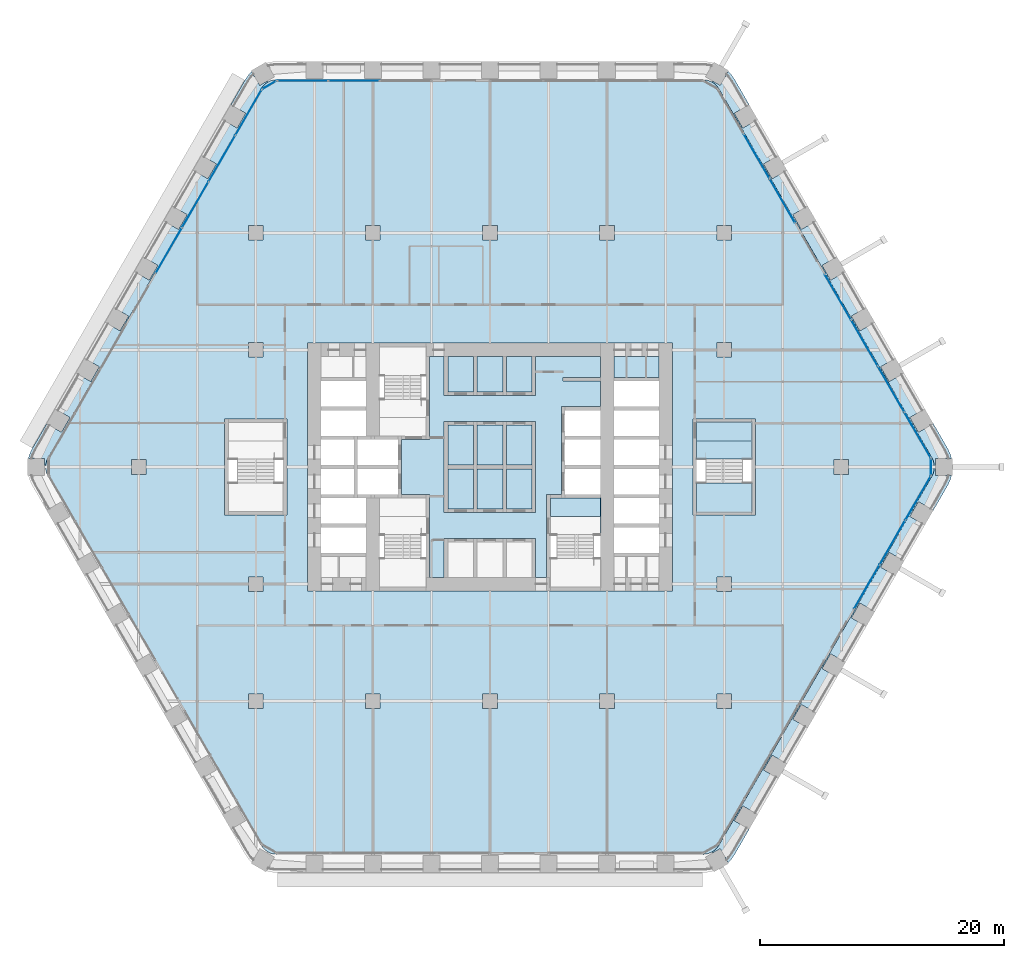
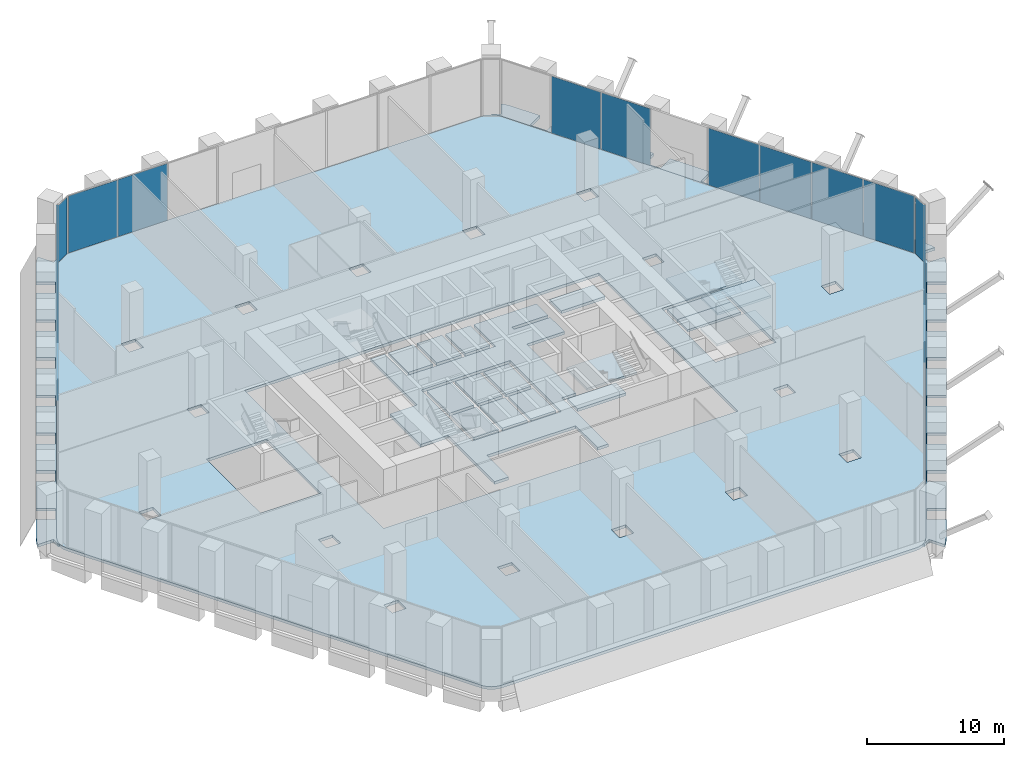
# One storey, part 17 of 29: 22 slabs, 17 plates, 9 elements without a shape of their own.
"""IFC4 building model written with IfcOpenShell, lengths in metres."""

from ifc_helpers import new_model, si_unit, direction, frame, origin, origin_2d, place, context, subcontext, project, spatial, polyline, rectangle, outline, extrude, material, layer, layer_set, type_object, element, aggregate, save


model = new_model("IFC4")

# Units and contexts
model_context = context("Model", 3, precision=1e-05, world=origin(), true_north=direction((0.0, 1.0)))
body_context = subcontext(model_context, "Body", "Model", "MODEL_VIEW")
ifc_project = project(units=[si_unit("LENGTHUNIT", "METRE"), si_unit("AREAUNIT", "SQUARE_METRE"), si_unit("VOLUMEUNIT", "CUBIC_METRE"), si_unit("PLANEANGLEUNIT", "RADIAN"), si_unit("MASSUNIT", "GRAM", prefix="KILO")], contexts=[model_context])

# Site, building, storey
site_placement = place(None, origin())
site = spatial("IfcSite", under=ifc_project, at=site_placement, CompositionType="ELEMENT")
building_placement = place(site_placement, origin())
building = spatial("IfcBuilding", under=site, at=building_placement, Name="Kolab Exchange Tower", CompositionType="ELEMENT")
storey_placement = place(building_placement, frame((0.0, 0.0, 55.39990234375)))
storey = spatial("IfcBuildingStorey", under=building, at=storey_placement, Name="L10", CompositionType="ELEMENT", Elevation=55.39990234375)

# Slabs
ifc_material_1 = material(Name="Concrete C35/45", Category="concrete")
ifc_layer_1 = layer(ifc_material_1, 0.25)
ifc_layer_set_1 = layer_set([ifc_layer_1], Name="Concrete C35/45")
slab_type_1 = type_object("IfcSlabType", Name="FLOOR SLAB 250", PredefinedType="FLOOR", material=ifc_layer_set_1)
slab_1_placement = place(storey_placement, frame((0.0, 0.0, -0.25)))
element("IfcSlab", 1, at=slab_1_placement, inside=storey, type_object=slab_type_1, Name="slab/L10/floor/0", PredefinedType="FLOOR", context=body_context, shape_type="SweptSolid", body=[
    extrude(outline(polyline([(18.76708984375, -31.00537109375), (36.23486328125, -0.75), (36.345458984375, -0.512939453125), (36.4130859375, -0.260498046875), (36.435791015625, 0.0), (36.4130859375, 0.260498046875), (36.345458984375, 0.512939453125), (36.23486328125, 0.75), (18.76708984375, 31.00537109375), (18.616943359375, 31.219482421875), (18.43212890625, 31.404541015625), (18.218017578125, 31.554443359375), (17.98095703125, 31.664794921875), (17.728515625, 31.732666015625), (17.468017578125, 31.75537109375), (-17.468017578125, 31.75537109375), (-17.728515625, 31.732666015625), (-17.98095703125, 31.664794921875), (-18.218017578125, 31.554443359375), (-18.43212890625, 31.404541015625), (-18.616943359375, 31.219482421875), (-18.76708984375, 31.00537109375), (-36.23486328125, 0.75), (-36.345458984375, 0.512939453125), (-36.4130859375, 0.260498046875), (-36.435791015625, 0.0), (-36.4130859375, -0.260498046875), (-36.345458984375, -0.512939453125), (-36.23486328125, -0.75), (-18.76708984375, -31.00537109375), (-18.616943359375, -31.219482421875), (-18.43212890625, -31.404541015625), (-18.218017578125, -31.554443359375), (-17.98095703125, -31.664794921875), (-17.728515625, -31.732666015625), (-17.468017578125, -31.75537109375), (17.468017578125, -31.75537109375), (17.728515625, -31.732666015625), (17.98095703125, -31.664794921875), (18.218017578125, -31.554443359375), (18.43212890625, -31.404541015625), (18.616943359375, -31.219482421875), (18.76708984375, -31.00537109375)]), holes=[polyline([(-19.800048828125, -18.60009765625), (-18.60009765625, -18.60009765625), (-18.60009765625, -19.800048828125), (-19.800048828125, -19.800048828125), (-19.800048828125, -18.60009765625)]), polyline([(-18.60009765625, -9.0), (-18.60009765625, -10.199951171875), (-19.800048828125, -10.199951171875), (-19.800048828125, -9.0), (-18.60009765625, -9.0)]), polyline([(-21.75, -3.949951171875), (-21.75, 3.949951171875), (-21.449951171875, 3.949951171875), (-16.949951171875, 3.949951171875), (-16.64990234375, 3.949951171875), (-16.64990234375, -3.949951171875), (-16.949951171875, -3.949951171875), (-21.449951171875, -3.949951171875), (-21.75, -3.949951171875)]), polyline([(-14.949951171875, 10.14990234375), (-13.85009765625, 10.14990234375), (-10.14990234375, 10.14990234375), (-9.050048828125, 10.14990234375), (-5.25, 10.14990234375), (9.050048828125, 10.14990234375), (10.14990234375, 10.14990234375), (13.85009765625, 10.14990234375), (14.949951171875, 10.14990234375), (14.949951171875, -10.14990234375), (13.85009765625, -10.14990234375), (10.14990234375, -10.14990234375), (9.050048828125, -10.14990234375), (4.949951171875, -10.14990234375), (-5.25, -10.14990234375), (-9.050048828125, -10.14990234375), (-10.14990234375, -10.14990234375), (-13.85009765625, -10.14990234375), (-14.949951171875, -10.14990234375), (-14.949951171875, 10.14990234375)]), polyline([(-28.199951171875, 0.60009765625), (-28.199951171875, -0.60009765625), (-29.39990234375, -0.60009765625), (-29.39990234375, 0.60009765625), (-28.199951171875, 0.60009765625)]), polyline([(-18.60009765625, 10.199951171875), (-18.60009765625, 9.0), (-19.800048828125, 9.0), (-19.800048828125, 10.199951171875), (-18.60009765625, 10.199951171875)]), polyline([(-19.800048828125, 19.800048828125), (-18.60009765625, 19.800048828125), (-18.60009765625, 18.60009765625), (-19.800048828125, 18.60009765625), (-19.800048828125, 19.800048828125)]), polyline([(-9.0, -18.60009765625), (-9.0, -19.800048828125), (-10.199951171875, -19.800048828125), (-10.199951171875, -18.60009765625), (-9.0, -18.60009765625)]), polyline([(-9.0, 19.800048828125), (-9.0, 18.60009765625), (-10.199951171875, 18.60009765625), (-10.199951171875, 19.800048828125), (-9.0, 19.800048828125)]), polyline([(0.60009765625, -18.60009765625), (0.60009765625, -19.800048828125), (-0.60009765625, -19.800048828125), (-0.60009765625, -18.60009765625), (0.60009765625, -18.60009765625)]), polyline([(0.60009765625, 19.800048828125), (0.60009765625, 18.60009765625), (-0.60009765625, 18.60009765625), (-0.60009765625, 19.800048828125), (0.60009765625, 19.800048828125)]), polyline([(10.199951171875, -18.60009765625), (10.199951171875, -19.800048828125), (9.0, -19.800048828125), (9.0, -18.60009765625), (10.199951171875, -18.60009765625)]), polyline([(9.0, 19.800048828125), (10.199951171875, 19.800048828125), (10.199951171875, 18.60009765625), (9.0, 18.60009765625), (9.0, 19.800048828125)]), polyline([(19.800048828125, -18.60009765625), (19.800048828125, -19.800048828125), (18.60009765625, -19.800048828125), (18.60009765625, -18.60009765625), (19.800048828125, -18.60009765625)]), polyline([(19.800048828125, -9.0), (19.800048828125, -10.199951171875), (18.60009765625, -10.199951171875), (18.60009765625, -9.0), (19.800048828125, -9.0)]), polyline([(16.949951171875, -3.949951171875), (16.64990234375, -3.949951171875), (16.64990234375, 3.949951171875), (16.949951171875, 3.949951171875), (21.449951171875, 3.949951171875), (21.75, 3.949951171875), (21.75, -3.949951171875), (21.449951171875, -3.949951171875), (16.949951171875, -3.949951171875)]), polyline([(29.39990234375, 0.60009765625), (29.39990234375, -0.60009765625), (28.199951171875, -0.60009765625), (28.199951171875, 0.60009765625), (29.39990234375, 0.60009765625)]), polyline([(18.60009765625, 10.199951171875), (19.800048828125, 10.199951171875), (19.800048828125, 9.0), (18.60009765625, 9.0), (18.60009765625, 10.199951171875)]), polyline([(18.60009765625, 19.800048828125), (19.800048828125, 19.800048828125), (19.800048828125, 18.60009765625), (18.60009765625, 18.60009765625), (18.60009765625, 19.800048828125)])]), origin(), (0.0, 0.0, 1.0), 0.25),
])
slab_2_placement = place(storey_placement, frame((0.0, 0.0, -0.25)))
element("IfcSlab", 2, at=slab_2_placement, inside=storey, type_object=slab_type_1, Name="slab/L10/floor/1", PredefinedType="FLOOR", context=body_context, shape_type="SweptSolid", body=[
    extrude(outline(polyline([(-5.25, 2.25), (-7.25, 2.25), (-7.25, -2.25), (-5.25, -2.25), (-4.949951171875, -2.25), (-4.949951171875, -9.050048828125), (-3.75, -9.050048828125), (-3.75, -5.85009765625), (-3.449951171875, -5.85009765625), (-1.35009765625, -5.85009765625), (-1.050048828125, -5.85009765625), (1.050048828125, -5.85009765625), (1.35009765625, -5.85009765625), (3.449951171875, -5.85009765625), (3.75, -5.85009765625), (3.75, -9.050048828125), (4.64990234375, -9.050048828125), (4.64990234375, -2.25), (4.949951171875, -2.25), (5.85009765625, -2.25), (5.85009765625, 4.949951171875), (6.14990234375, 4.949951171875), (9.050048828125, 4.949951171875), (9.050048828125, 7.050048828125), (6.0, 7.050048828125), (6.0, 7.35009765625), (9.050048828125, 7.35009765625), (9.050048828125, 9.050048828125), (3.75, 9.050048828125), (3.75, 5.85009765625), (3.449951171875, 5.85009765625), (1.35009765625, 5.85009765625), (1.050048828125, 5.85009765625), (-1.050048828125, 5.85009765625), (-1.35009765625, 5.85009765625), (-3.449951171875, 5.85009765625), (-3.75, 5.85009765625), (-3.75, 9.050048828125), (-4.949951171875, 9.050048828125), (-4.949951171875, 2.25), (-5.25, 2.25)]), holes=[polyline([(-1.35009765625, 3.75), (-1.050048828125, 3.75), (1.050048828125, 3.75), (1.35009765625, 3.75), (3.449951171875, 3.75), (3.75, 3.75), (3.75, -3.75), (3.449951171875, -3.75), (1.35009765625, -3.75), (1.050048828125, -3.75), (-1.050048828125, -3.75), (-1.35009765625, -3.75), (-3.449951171875, -3.75), (-3.75, -3.75), (-3.75, 3.75), (-3.449951171875, 3.75), (-1.35009765625, 3.75)])]), origin(), (0.0, 0.0, 1.0), 0.25),
])
slab_3_placement = place(storey_placement, frame((0.0, 0.0, -0.25)))
element("IfcSlab", 3, at=slab_3_placement, inside=storey, type_object=slab_type_1, Name="slab/L10/floor/2", PredefinedType="FLOOR", context=body_context, shape_type="SweptSolid", body=[
    extrude(outline(polyline([(-3.449951171875, -3.449951171875), (-1.35009765625, -3.449951171875), (-1.35009765625, -0.14990234375), (-3.449951171875, -0.14990234375), (-3.449951171875, -3.449951171875)])), origin(), (0.0, 0.0, 1.0), 0.25),
])
slab_4_placement = place(storey_placement, frame((0.0, 0.0, -0.25)))
element("IfcSlab", 4, at=slab_4_placement, inside=storey, type_object=slab_type_1, Name="slab/L10/floor/3", PredefinedType="FLOOR", context=body_context, shape_type="SweptSolid", body=[
    extrude(outline(polyline([(-1.35009765625, 0.14990234375), (-1.35009765625, 3.449951171875), (-3.449951171875, 3.449951171875), (-3.449951171875, 0.14990234375), (-1.35009765625, 0.14990234375)])), origin(), (0.0, 0.0, 1.0), 0.25),
])
slab_5_placement = place(storey_placement, frame((0.0, 0.0, -0.25)))
element("IfcSlab", 5, at=slab_5_placement, inside=storey, type_object=slab_type_1, Name="slab/L10/floor/4", PredefinedType="FLOOR", context=body_context, shape_type="SweptSolid", body=[
    extrude(outline(polyline([(-1.050048828125, -0.14990234375), (-1.050048828125, -3.449951171875), (1.050048828125, -3.449951171875), (1.050048828125, -0.14990234375), (-1.050048828125, -0.14990234375)])), origin(), (0.0, 0.0, 1.0), 0.25),
])
slab_6_placement = place(storey_placement, frame((0.0, 0.0, -0.25)))
element("IfcSlab", 6, at=slab_6_placement, inside=storey, type_object=slab_type_1, Name="slab/L10/floor/5", PredefinedType="FLOOR", context=body_context, shape_type="SweptSolid", body=[
    extrude(outline(polyline([(-1.050048828125, 3.449951171875), (-1.050048828125, 0.14990234375), (1.050048828125, 0.14990234375), (1.050048828125, 3.449951171875), (-1.050048828125, 3.449951171875)])), origin(), (0.0, 0.0, 1.0), 0.25),
])
slab_7_placement = place(storey_placement, frame((0.0, 0.0, -0.25)))
element("IfcSlab", 7, at=slab_7_placement, inside=storey, type_object=slab_type_1, Name="slab/L10/floor/6", PredefinedType="FLOOR", context=body_context, shape_type="SweptSolid", body=[
    extrude(outline(polyline([(1.35009765625, -3.449951171875), (3.449951171875, -3.449951171875), (3.449951171875, -0.14990234375), (1.35009765625, -0.14990234375), (1.35009765625, -3.449951171875)])), origin(), (0.0, 0.0, 1.0), 0.25),
])
slab_8_placement = place(storey_placement, frame((0.0, 0.0, -0.25)))
element("IfcSlab", 8, at=slab_8_placement, inside=storey, type_object=slab_type_1, Name="slab/L10/floor/7", PredefinedType="FLOOR", context=body_context, shape_type="SweptSolid", body=[
    extrude(outline(polyline([(1.35009765625, 0.14990234375), (3.449951171875, 0.14990234375), (3.449951171875, 3.449951171875), (1.35009765625, 3.449951171875), (1.35009765625, 0.14990234375)])), origin(), (0.0, 0.0, 1.0), 0.25),
])
slab_9_placement = place(storey_placement, frame((0.0, 0.0, -0.25)))
element("IfcSlab", 9, at=slab_9_placement, inside=storey, type_object=slab_type_1, Name="slab/L10/floor/9", PredefinedType="FLOOR", context=body_context, shape_type="SweptSolid", body=[
    extrude(outline(polyline([(21.449951171875, 3.64990234375), (16.949951171875, 3.64990234375), (16.949951171875, 2.14990234375), (21.449951171875, 2.14990234375), (21.449951171875, 3.64990234375)])), origin(), (0.0, 0.0, 1.0), 0.25),
])
slab_10_placement = place(storey_placement, frame((0.0, 0.0, -0.25)))
element("IfcSlab", 10, at=slab_10_placement, inside=storey, type_object=slab_type_1, Name="slab/L10/floor/13", PredefinedType="FLOOR", context=body_context, shape_type="SweptSolid", body=[
    extrude(outline(polyline([(10.14990234375, 7.35009765625), (13.85009765625, 7.35009765625), (13.85009765625, 9.050048828125), (10.14990234375, 9.050048828125), (10.14990234375, 7.35009765625)])), origin(), (0.0, 0.0, 1.0), 0.25),
])
slab_11_placement = place(storey_placement, frame((0.0, 0.0, -0.25)))
element("IfcSlab", 11, at=slab_11_placement, inside=storey, type_object=slab_type_1, Name="slab/L10/floor/14", PredefinedType="FLOOR", context=body_context, shape_type="SweptSolid", body=[
    extrude(outline(polyline([(9.050048828125, -4.050048828125), (9.050048828125, -2.550048828125), (6.14990234375, -2.550048828125), (5.85009765625, -2.550048828125), (4.949951171875, -2.550048828125), (4.949951171875, -4.050048828125), (9.050048828125, -4.050048828125)])), origin(), (0.0, 0.0, 1.0), 0.25),
])
slab_12_placement = place(storey_placement, frame((0.0, 0.0, -0.25)))
element("IfcSlab", 12, at=slab_12_placement, inside=storey, type_object=slab_type_1, Name="slab/L10/floor/16", PredefinedType="FLOOR", context=body_context, shape_type="SweptSolid", body=[
    extrude(outline(polyline([(-1.050048828125, 9.050048828125), (-1.050048828125, 6.14990234375), (1.050048828125, 6.14990234375), (1.050048828125, 9.050048828125), (-1.050048828125, 9.050048828125)])), origin(), (0.0, 0.0, 1.0), 0.25),
])
slab_13_placement = place(storey_placement, frame((0.0, 0.0, -0.25)))
element("IfcSlab", 13, at=slab_13_placement, inside=storey, type_object=slab_type_1, Name="slab/L10/floor/18", PredefinedType="FLOOR", context=body_context, shape_type="SweptSolid", body=[
    extrude(outline(polyline([(-1.35009765625, 6.14990234375), (-1.35009765625, 9.050048828125), (-3.449951171875, 9.050048828125), (-3.449951171875, 6.14990234375), (-1.35009765625, 6.14990234375)])), origin(), (0.0, 0.0, 1.0), 0.25),
])
slab_14_placement = place(storey_placement, frame((0.0, 0.0, -0.25)))
element("IfcSlab", 14, at=slab_14_placement, inside=storey, type_object=slab_type_1, Name="slab/L10/floor/20", PredefinedType="FLOOR", context=body_context, shape_type="SweptSolid", body=[
    extrude(outline(polyline([(1.35009765625, 6.14990234375), (3.449951171875, 6.14990234375), (3.449951171875, 9.050048828125), (1.35009765625, 9.050048828125), (1.35009765625, 6.14990234375)])), origin(), (0.0, 0.0, 1.0), 0.25),
])
ifc_layer_2 = layer(ifc_material_1, 0.25)
ifc_layer_set_2 = layer_set([ifc_layer_2], Name="Concrete C35/45")
slab_type_2 = type_object("IfcSlabType", Name="LOGGIA SLAB 250", PredefinedType="FLOOR", material=ifc_layer_set_2)
slab_15_placement = place(storey_placement, frame((0.0, 0.0, -0.25)))
element("IfcSlab", 15, at=slab_15_placement, inside=storey, type_object=slab_type_2, Name="slab/L10/loggia/1-0", PredefinedType="FLOOR", context=body_context, shape_type="SweptSolid", body=[
    extrude(outline(polyline([(36.435791015625, 0.0), (36.535888671875, 0.0), (36.535888671875, 0.699951171875), (37.84228515625, 0.699951171875), (37.7548828125, 1.026123046875), (37.533935546875, 1.5), (36.35009765625, 3.55078125), (35.137451171875, 2.8505859375), (34.4375, 4.063232421875), (35.64990234375, 4.76318359375), (33.949951171875, 7.70751953125), (32.737548828125, 7.007568359375), (32.03759765625, 8.219970703125), (33.25, 8.920166015625), (31.550048828125, 11.864501953125), (30.337646484375, 11.16455078125), (29.637451171875, 12.376953125), (30.85009765625, 13.076904296875), (29.14990234375, 16.021484375), (27.9375, 15.321533203125), (27.237548828125, 16.533935546875), (28.449951171875, 17.23388671875), (26.75, 20.178466796875), (25.53759765625, 19.478271484375), (24.837646484375, 20.69091796875), (26.050048828125, 21.390869140625), (24.35009765625, 24.335205078125), (23.137451171875, 23.63525390625), (22.4375, 24.84765625), (23.64990234375, 25.5478515625), (21.949951171875, 28.4921875), (20.737548828125, 27.792236328125), (20.03759765625, 29.004638671875), (21.25, 29.70458984375), (20.06591796875, 31.75537109375), (19.76611328125, 32.183837890625), (19.52734375, 32.42236328125), (18.874267578125, 31.291015625), (18.26806640625, 31.64111328125), (18.218017578125, 31.554443359375), (18.43212890625, 31.404541015625), (18.616943359375, 31.219482421875), (18.76708984375, 31.00537109375), (36.23486328125, 0.75), (36.345458984375, 0.512939453125), (36.4130859375, 0.260498046875), (36.435791015625, 0.0)])), origin(), (0.0, 0.0, 1.0), 0.25),
])
slab_16_placement = place(storey_placement, frame((0.0, 0.0, -0.25)))
element("IfcSlab", 16, at=slab_16_placement, inside=storey, type_object=slab_type_2, Name="slab/L10/loggia/2-0", PredefinedType="FLOOR", context=body_context, shape_type="SweptSolid", body=[
    extrude(outline(polyline([(20.06591796875, -31.75537109375), (21.25, -29.70458984375), (20.03759765625, -29.004638671875), (20.737548828125, -27.792236328125), (21.949951171875, -28.4921875), (23.64990234375, -25.5478515625), (22.4375, -24.84765625), (23.137451171875, -23.63525390625), (24.35009765625, -24.335205078125), (26.050048828125, -21.390869140625), (24.837646484375, -20.69091796875), (25.53759765625, -19.478271484375), (26.75, -20.178466796875), (28.449951171875, -17.23388671875), (27.237548828125, -16.533935546875), (27.9375, -15.321533203125), (29.14990234375, -16.021484375), (30.85009765625, -13.076904296875), (29.637451171875, -12.376953125), (30.337646484375, -11.16455078125), (31.550048828125, -11.864501953125), (33.25, -8.920166015625), (32.03759765625, -8.219970703125), (32.737548828125, -7.007568359375), (33.949951171875, -7.70751953125), (35.64990234375, -4.76318359375), (34.4375, -4.063232421875), (35.137451171875, -2.8505859375), (36.35009765625, -3.55078125), (37.533935546875, -1.5), (37.7548828125, -1.026123046875), (37.84228515625, -0.699951171875), (36.535888671875, -0.699951171875), (36.535888671875, 0.0), (36.435791015625, 0.0), (36.4130859375, -0.260498046875), (36.345458984375, -0.512939453125), (36.23486328125, -0.75), (18.76708984375, -31.00537109375), (18.616943359375, -31.219482421875), (18.43212890625, -31.404541015625), (18.218017578125, -31.554443359375), (18.26806640625, -31.64111328125), (18.874267578125, -31.291015625), (19.52734375, -32.42236328125), (19.76611328125, -32.183837890625), (20.06591796875, -31.75537109375)])), origin(), (0.0, 0.0, 1.0), 0.25),
])
slab_17_placement = place(storey_placement, frame((0.0, 0.0, -0.25)))
element("IfcSlab", 17, at=slab_17_placement, inside=storey, type_object=slab_type_2, Name="slab/L10/loggia/5-0", PredefinedType="FLOOR", context=body_context, shape_type="SweptSolid", body=[
    extrude(outline(polyline([(-18.218017578125, 31.554443359375), (-18.26806640625, 31.64111328125), (-18.874267578125, 31.291015625), (-19.52734375, 32.42236328125), (-19.76611328125, 32.183837890625), (-20.06591796875, 31.75537109375), (-21.25, 29.70458984375), (-20.03759765625, 29.004638671875), (-20.737548828125, 27.792236328125), (-21.949951171875, 28.4921875), (-23.64990234375, 25.5478515625), (-22.4375, 24.84765625), (-23.137451171875, 23.63525390625), (-24.35009765625, 24.335205078125), (-26.050048828125, 21.390869140625), (-24.837646484375, 20.69091796875), (-25.53759765625, 19.478271484375), (-26.75, 20.178466796875), (-28.449951171875, 17.23388671875), (-27.237548828125, 16.533935546875), (-27.9375, 15.321533203125), (-29.14990234375, 16.021484375), (-30.85009765625, 13.076904296875), (-29.637451171875, 12.376953125), (-30.337646484375, 11.16455078125), (-31.550048828125, 11.864501953125), (-33.25, 8.920166015625), (-32.03759765625, 8.219970703125), (-32.737548828125, 7.007568359375), (-33.949951171875, 7.70751953125), (-35.64990234375, 4.76318359375), (-34.4375, 4.063232421875), (-35.137451171875, 2.8505859375), (-36.35009765625, 3.55078125), (-37.533935546875, 1.5), (-37.7548828125, 1.026123046875), (-37.84228515625, 0.699951171875), (-36.535888671875, 0.699951171875), (-36.535888671875, 0.0), (-36.435791015625, 0.0), (-36.4130859375, 0.260498046875), (-36.345458984375, 0.512939453125), (-36.23486328125, 0.75), (-18.76708984375, 31.00537109375), (-18.616943359375, 31.219482421875), (-18.43212890625, 31.404541015625), (-18.218017578125, 31.554443359375)])), origin(), (0.0, 0.0, 1.0), 0.25),
])

# Stair, slab
ifc_material_2 = material(Name="Concrete C50/60", Category="concrete")
stair_type_1 = type_object("IfcStairType", Name="STAIR ST2 RISER 171.9", PredefinedType="DOUBLE_RETURN_STAIR", material=ifc_material_2)
stair_1_placement = place(storey_placement, origin())
stair_1 = element("IfcStair", 18, at=stair_1_placement, inside=storey, type_object=stair_type_1, Name="Stair 2", PredefinedType="DOUBLE_RETURN_STAIR")
ifc_layer_3 = layer(ifc_material_2, 0.199951171875)
ifc_layer_set_3 = layer_set([ifc_layer_3], Name="Concrete C50/60")
slab_type_3 = type_object("IfcSlabType", Name="STAIR LANDING 200", PredefinedType="LANDING", material=ifc_layer_set_3)
slab_18_placement = place(storey_placement, frame((0.0, 0.0, 2.550048828125)))
slab_18 = element("IfcSlab", 19, at=slab_18_placement, type_object=slab_type_3, Name="ST2 landing 3", PredefinedType="LANDING", context=body_context, shape_type="SweptSolid", body=[
    extrude(outline(polyline([(4.889892578125, -5.550048828125), (9.110107421875, -5.550048828125), (9.110107421875, -2.489990234375), (4.889892578125, -2.489990234375), (4.889892578125, -5.550048828125)])), origin(), (0.0, 0.0, 1.0), 0.199951171875),
])
aggregate(stair_1, [slab_18])

# Stair, slabs
stair_type_2 = type_object("IfcStairType", Name="STAIR ST4 RISER 171.9", PredefinedType="DOUBLE_RETURN_STAIR", material=ifc_material_2)
stair_2_placement = place(storey_placement, origin())
stair_2 = element("IfcStair", 20, at=stair_2_placement, inside=storey, type_object=stair_type_2, Name="Stair 4", PredefinedType="DOUBLE_RETURN_STAIR")
slab_19_placement = place(storey_placement, frame((0.0, 0.0, -0.199951171875)))
slab_19 = element("IfcSlab", 21, at=slab_19_placement, type_object=slab_type_3, Name="ST4 landing 1", PredefinedType="LANDING", context=body_context, shape_type="SweptSolid", body=[
    extrude(outline(polyline([(16.949951171875, 0.64990234375), (21.449951171875, 0.64990234375), (21.449951171875, 2.14990234375), (16.949951171875, 2.14990234375), (16.949951171875, 0.64990234375)])), origin(), (0.0, 0.0, 1.0), 0.199951171875),
])
slab_20_placement = place(storey_placement, frame((0.0, 0.0, 1.175048828125)))
slab_20 = element("IfcSlab", 22, at=slab_20_placement, type_object=slab_type_3, Name="ST4 landing 2", PredefinedType="LANDING", context=body_context, shape_type="SweptSolid", body=[
    extrude(outline(polyline([(16.889892578125, -3.7099609375), (21.510009765625, -3.7099609375), (21.510009765625, -1.31005859375), (16.889892578125, -1.31005859375), (16.889892578125, -3.7099609375)])), origin(), (0.0, 0.0, 1.0), 0.199951171875),
])
slab_21_placement = place(storey_placement, frame((0.0, 0.0, 2.550048828125)))
slab_21 = element("IfcSlab", 23, at=slab_21_placement, type_object=slab_type_3, Name="ST4 landing 3", PredefinedType="LANDING", context=body_context, shape_type="SweptSolid", body=[
    extrude(outline(polyline([(16.889892578125, 0.64990234375), (21.510009765625, 0.64990234375), (21.510009765625, 3.7099609375), (16.889892578125, 3.7099609375), (16.889892578125, 0.64990234375)])), origin(), (0.0, 0.0, 1.0), 0.199951171875),
])
slab_22_placement = place(storey_placement, frame((0.0, 0.0, 3.925048828125)))
slab_22 = element("IfcSlab", 24, at=slab_22_placement, type_object=slab_type_3, Name="ST4 landing 4", PredefinedType="LANDING", context=body_context, shape_type="SweptSolid", body=[
    extrude(outline(polyline([(16.949951171875, -3.7099609375), (21.449951171875, -3.7099609375), (21.449951171875, -1.31005859375), (16.949951171875, -1.31005859375), (16.949951171875, -3.7099609375)])), origin(), (0.0, 0.0, 1.0), 0.199951171875),
])
aggregate(stair_2, [slab_19, slab_20, slab_21, slab_22])

# Curtain wall, plates
ifc_material_3 = material(Name="Aluminium EN AW-6063 T6", Category="aluminium")
curtain_wall_type = type_object("IfcCurtainWallType", Name="UNITISED LOW ZONE CURTAIN WALL", PredefinedType="NOTDEFINED", material=ifc_material_3)
curtain_wall_1_placement = place(storey_placement, origin())
curtain_wall_1 = element("IfcCurtainWall", 25, at=curtain_wall_1_placement, inside=storey, type_object=curtain_wall_type, Name="cw/L10/F1-1", PredefinedType="NOTDEFINED")
ifc_material_4 = material(Name="Clear insulated glazing unit", Category="glass")
ifc_layer_4 = layer(ifc_material_4, 0.02392578125)
ifc_layer_set_4 = layer_set([ifc_layer_4], Name="Clear insulated glazing unit")
plate_type = type_object("IfcPlateType", Name="UNITISED LOW ZONE GLASS PANEL 24", PredefinedType="CURTAIN_PANEL", material=ifc_layer_set_4)
plate_1_placement = place(storey_placement, frame((-15.341552734375, 31.67529296875, 0.06005859375), z_axis=(0.0, 0.0, 1.0), x_axis=(1.0, 0.0, 0.0)))
plate_1 = element("IfcPlate", 26, at=plate_1_placement, type_object=plate_type, Name="CW1 panel 1.1", PredefinedType="CURTAIN_PANEL", context=body_context, shape_type="SweptSolid", body=[
    extrude(rectangle(XDim=4.132568359375, YDim=0.02392578125, at=origin_2d()), origin(), (0.0, 0.0, 1.0), 5.080078125),
])
plate_2_placement = place(storey_placement, frame((-11.134033203125, 31.67529296875, 0.06005859375), z_axis=(0.0, 0.0, 1.0), x_axis=(1.0, 0.0, 0.0)))
plate_2 = element("IfcPlate", 27, at=plate_2_placement, type_object=plate_type, Name="CW1 panel 2.1", PredefinedType="CURTAIN_PANEL", context=body_context, shape_type="SweptSolid", body=[
    extrude(rectangle(XDim=4.16259765625, YDim=0.02392578125, at=origin_2d()), origin(), (0.0, 0.0, 1.0), 5.080078125),
])
aggregate(curtain_wall_1, [plate_1, plate_2])

curtain_wall_2_placement = place(storey_placement, origin())
curtain_wall_2 = element("IfcCurtainWall", 28, at=curtain_wall_2_placement, inside=storey, type_object=curtain_wall_type, Name="cw/L10/F2-1", PredefinedType="NOTDEFINED")
plate_3_placement = place(storey_placement, frame((21.86474609375, 25.47998046875, 0.06005859375), z_axis=(0.0, 0.0, 1.0), x_axis=(0.500000017564, -0.866025393644, 0.0)))
plate_3 = element("IfcPlate", 29, at=plate_3_placement, type_object=plate_type, Name="CW1 panel 2.1", PredefinedType="CURTAIN_PANEL", context=body_context, shape_type="SweptSolid", body=[
    extrude(rectangle(XDim=4.16259765625, YDim=0.02392578125, at=origin_2d()), origin(), (0.0, 0.0, 1.0), 5.080078125),
])
plate_4_placement = place(storey_placement, frame((23.968505859375, 21.836181640625, 0.06005859375), z_axis=(0.0, 0.0, 1.0), x_axis=(0.500000017564, -0.866025393644, 0.0)))
plate_4 = element("IfcPlate", 30, at=plate_4_placement, type_object=plate_type, Name="CW1 panel 3.1", PredefinedType="CURTAIN_PANEL", context=body_context, shape_type="SweptSolid", body=[
    extrude(rectangle(XDim=4.132568359375, YDim=0.02392578125, at=origin_2d()), origin(), (0.0, 0.0, 1.0), 5.080078125),
])
aggregate(curtain_wall_2, [plate_3, plate_4])

curtain_wall_3_placement = place(storey_placement, origin())
curtain_wall_3 = element("IfcCurtainWall", 31, at=curtain_wall_3_placement, inside=storey, type_object=curtain_wall_type, Name="cw/L10/F2-2", PredefinedType="NOTDEFINED")
plate_5_placement = place(storey_placement, frame((28.531005859375, 13.933837890625, 0.06005859375), z_axis=(0.0, 0.0, 1.0), x_axis=(0.499999968274, -0.866025422102, 0.0)))
plate_5 = element("IfcPlate", 32, at=plate_5_placement, type_object=plate_type, Name="CW1 panel 1.1", PredefinedType="CURTAIN_PANEL", context=body_context, shape_type="SweptSolid", body=[
    extrude(rectangle(XDim=4.277099609375, YDim=0.02392578125, at=origin_2d()), origin(), (0.0, 0.0, 1.0), 5.080078125),
])
plate_6_placement = place(storey_placement, frame((30.70703125, 10.164794921875, 0.06005859375), z_axis=(0.0, 0.0, 1.0), x_axis=(0.499999968274, -0.866025422102, 0.0)))
plate_6 = element("IfcPlate", 33, at=plate_6_placement, type_object=plate_type, Name="CW1 panel 2.1", PredefinedType="CURTAIN_PANEL", context=body_context, shape_type="SweptSolid", body=[
    extrude(rectangle(XDim=4.306884765625, YDim=0.02392578125, at=origin_2d()), origin(), (0.0, 0.0, 1.0), 5.080078125),
])
plate_7_placement = place(storey_placement, frame((32.890380859375, 6.3828125, 0.06005859375), z_axis=(0.0, 0.0, 1.0), x_axis=(0.499999968274, -0.866025422102, 0.0)))
plate_7 = element("IfcPlate", 34, at=plate_7_placement, type_object=plate_type, Name="CW1 panel 3.1", PredefinedType="CURTAIN_PANEL", context=body_context, shape_type="SweptSolid", body=[
    extrude(rectangle(XDim=4.306884765625, YDim=0.02392578125, at=origin_2d()), origin(), (0.0, 0.0, 1.0), 5.080078125),
])
plate_8_placement = place(storey_placement, frame((35.06640625, 2.614013671875, 0.06005859375), z_axis=(0.0, 0.0, 1.0), x_axis=(0.499999968274, -0.866025422102, 0.0)))
plate_8 = element("IfcPlate", 35, at=plate_8_placement, type_object=plate_type, Name="CW1 panel 4.1", PredefinedType="CURTAIN_PANEL", context=body_context, shape_type="SweptSolid", body=[
    extrude(rectangle(XDim=4.277099609375, YDim=0.02392578125, at=origin_2d()), origin(), (0.0, 0.0, 1.0), 5.080078125),
])
aggregate(curtain_wall_3, [plate_5, plate_6, plate_7, plate_8])

curtain_wall_4_placement = place(storey_placement, origin())
curtain_wall_4 = element("IfcCurtainWall", 36, at=curtain_wall_4_placement, inside=storey, type_object=curtain_wall_type, Name="cw/L10/F3-1", PredefinedType="NOTDEFINED")
plate_9_placement = place(storey_placement, frame((35.1025390625, -2.551513671875, 0.06005859375), z_axis=(0.0, 0.0, 1.0), x_axis=(-0.499999958358, -0.866025427826, 0.0)))
plate_9 = element("IfcPlate", 37, at=plate_9_placement, type_object=plate_type, Name="CW1 panel 1.1", PredefinedType="CURTAIN_PANEL", context=body_context, shape_type="SweptSolid", body=[
    extrude(rectangle(XDim=4.132568359375, YDim=0.02392578125, at=origin_2d()), origin(), (0.0, 0.0, 1.0), 5.080078125),
])
plate_10_placement = place(storey_placement, frame((32.998779296875, -6.1953125, 0.06005859375), z_axis=(0.0, 0.0, 1.0), x_axis=(-0.499999958358, -0.866025427826, 0.0)))
plate_10 = element("IfcPlate", 38, at=plate_10_placement, type_object=plate_type, Name="CW1 panel 2.1", PredefinedType="CURTAIN_PANEL", context=body_context, shape_type="SweptSolid", body=[
    extrude(rectangle(XDim=4.16259765625, YDim=0.02392578125, at=origin_2d()), origin(), (0.0, 0.0, 1.0), 5.080078125),
])
plate_11_placement = place(storey_placement, frame((30.894775390625, -9.83935546875, 0.06005859375), z_axis=(0.0, 0.0, 1.0), x_axis=(-0.499999958358, -0.866025427826, 0.0)))
plate_11 = element("IfcPlate", 39, at=plate_11_placement, type_object=plate_type, Name="CW1 panel 3.1", PredefinedType="CURTAIN_PANEL", context=body_context, shape_type="SweptSolid", body=[
    extrude(rectangle(XDim=4.132568359375, YDim=0.02392578125, at=origin_2d()), origin(), (0.0, 0.0, 1.0), 5.080078125),
])
aggregate(curtain_wall_4, [plate_9, plate_10, plate_11])

curtain_wall_5_placement = place(storey_placement, origin())
curtain_wall_5 = element("IfcCurtainWall", 40, at=curtain_wall_5_placement, inside=storey, type_object=curtain_wall_type, Name="cw/L10/F6-2", PredefinedType="NOTDEFINED")
plate_12_placement = place(storey_placement, frame((-26.33251953125, 17.74169921875, 0.06005859375), z_axis=(0.0, 0.0, 1.0), x_axis=(0.5000000112, 0.866025397318, 0.0)))
plate_12 = element("IfcPlate", 41, at=plate_12_placement, type_object=plate_type, Name="CW1 panel 1.1", PredefinedType="CURTAIN_PANEL", context=body_context, shape_type="SweptSolid", body=[
    extrude(rectangle(XDim=4.277099609375, YDim=0.02392578125, at=origin_2d()), origin(), (0.0, 0.0, 1.0), 5.080078125),
])
plate_13_placement = place(storey_placement, frame((-24.156494140625, 21.510498046875, 0.06005859375), z_axis=(0.0, 0.0, 1.0), x_axis=(0.5000000112, 0.866025397318, 0.0)))
plate_13 = element("IfcPlate", 42, at=plate_13_placement, type_object=plate_type, Name="CW1 panel 2.1", PredefinedType="CURTAIN_PANEL", context=body_context, shape_type="SweptSolid", body=[
    extrude(rectangle(XDim=4.306884765625, YDim=0.02392578125, at=origin_2d()), origin(), (0.0, 0.0, 1.0), 5.080078125),
])
plate_14_placement = place(storey_placement, frame((-21.972900390625, 25.29248046875, 0.06005859375), z_axis=(0.0, 0.0, 1.0), x_axis=(0.5000000112, 0.866025397318, 0.0)))
plate_14 = element("IfcPlate", 43, at=plate_14_placement, type_object=plate_type, Name="CW1 panel 3.1", PredefinedType="CURTAIN_PANEL", context=body_context, shape_type="SweptSolid", body=[
    extrude(rectangle(XDim=4.306884765625, YDim=0.02392578125, at=origin_2d()), origin(), (0.0, 0.0, 1.0), 5.080078125),
])
plate_15_placement = place(storey_placement, frame((-19.796875, 29.0615234375, 0.06005859375), z_axis=(0.0, 0.0, 1.0), x_axis=(0.5000000112, 0.866025397318, 0.0)))
plate_15 = element("IfcPlate", 44, at=plate_15_placement, type_object=plate_type, Name="CW1 panel 4.1", PredefinedType="CURTAIN_PANEL", context=body_context, shape_type="SweptSolid", body=[
    extrude(rectangle(XDim=4.277099609375, YDim=0.02392578125, at=origin_2d()), origin(), (0.0, 0.0, 1.0), 5.080078125),
])
aggregate(curtain_wall_5, [plate_12, plate_13, plate_14, plate_15])

# Curtain wall, plate
curtain_wall_6_placement = place(storey_placement, origin())
curtain_wall_6 = element("IfcCurtainWall", 45, at=curtain_wall_6_placement, inside=storey, type_object=curtain_wall_type, Name="cw/L10/F2F3-corner", PredefinedType="NOTDEFINED")
plate_16_placement = place(storey_placement, frame((36.165771484375, 0.0, 0.06005859375), z_axis=(0.0, 0.0, 1.0), x_axis=(0.0, -1.0, 0.0)))
plate_16 = element("IfcPlate", 46, at=plate_16_placement, type_object=plate_type, Name="CW1 panel 1.1", PredefinedType="CURTAIN_PANEL", context=body_context, shape_type="SweptSolid", body=[
    extrude(rectangle(XDim=1.300048828125, YDim=0.02392578125, at=origin_2d()), origin(), (0.0, 0.0, 1.0), 5.080078125),
])
aggregate(curtain_wall_6, [plate_16])

curtain_wall_7_placement = place(storey_placement, origin())
curtain_wall_7 = element("IfcCurtainWall", 47, at=curtain_wall_7_placement, inside=storey, type_object=curtain_wall_type, Name="cw/L10/F6F1-corner", PredefinedType="NOTDEFINED")
plate_17_placement = place(storey_placement, frame((-18.082763671875, 31.3203125, 0.06005859375), z_axis=(0.0, 0.0, 1.0), x_axis=(0.866025390869, 0.50000002237, 0.0)))
plate_17 = element("IfcPlate", 48, at=plate_17_placement, type_object=plate_type, Name="CW1 panel 1.1", PredefinedType="CURTAIN_PANEL", context=body_context, shape_type="SweptSolid", body=[
    extrude(rectangle(XDim=1.300048828125, YDim=0.02392578125, at=origin_2d()), origin(), (0.0, 0.0, 1.0), 5.080078125),
])
aggregate(curtain_wall_7, [plate_17])

save(model, "model.ifc")
